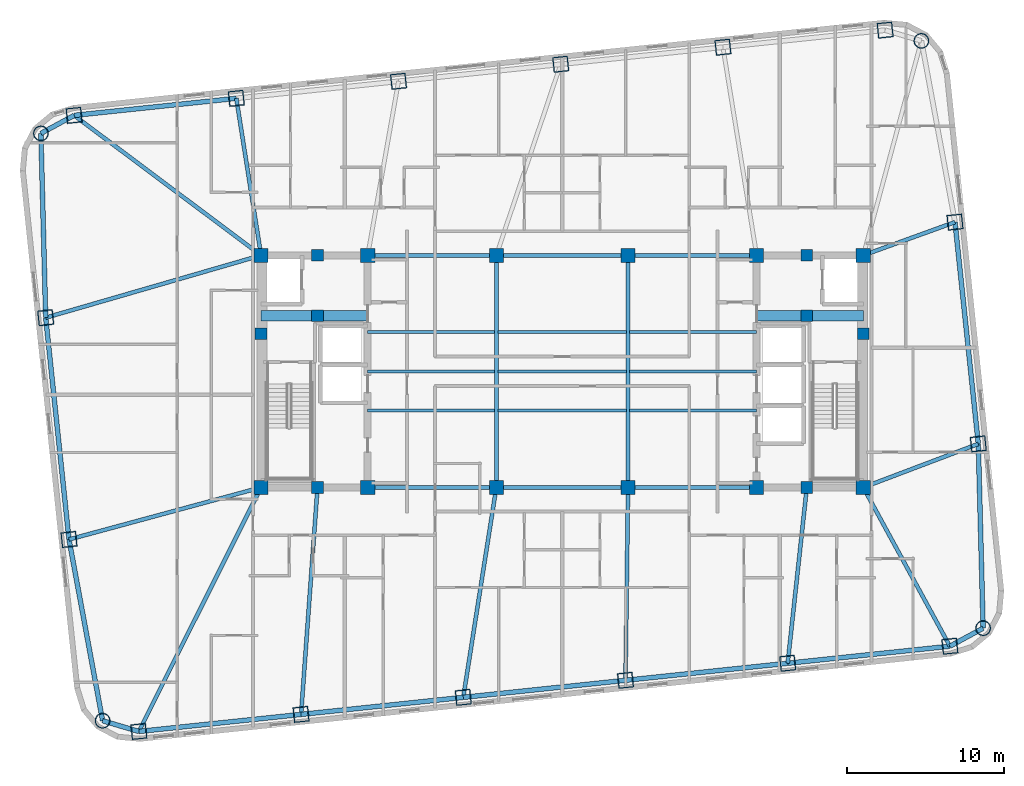
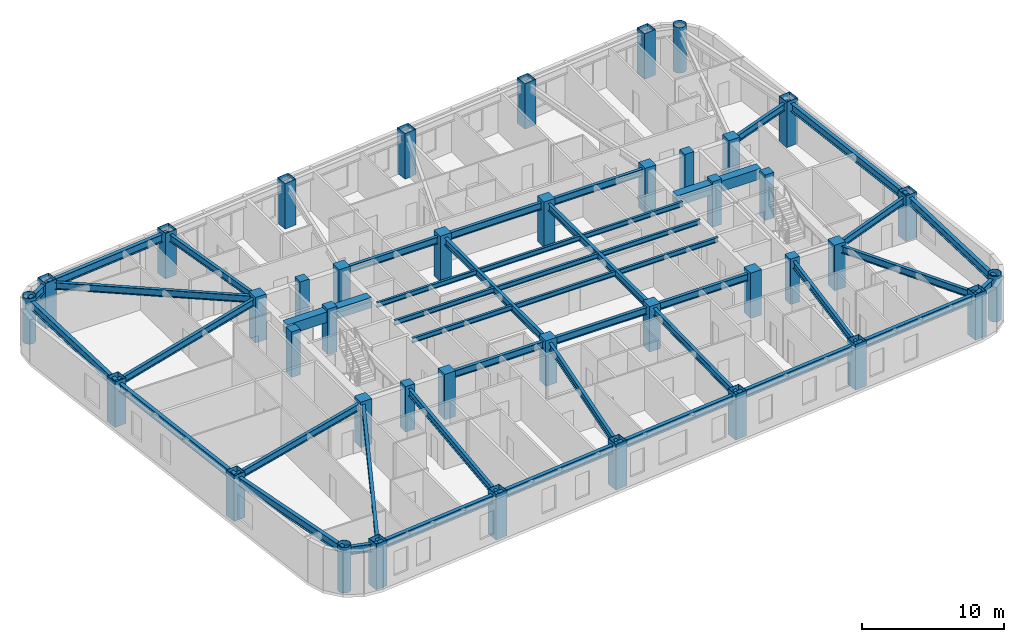
# One storey, part 1 of 11: 45 beams, 40 columns.
"""IFC4 building model written with IfcOpenShell, lengths in metres."""

from ifc_helpers import new_model, si_unit, direction, frame, origin, origin_2d, place, context, subcontext, project, spatial, rectangle, hollow_rectangle, hollow_circle, i_section, extrude, material, material_profile, profile_set, type_object, element, save


model = new_model("IFC4")

# Units and contexts
model_context = context("Model", 3, precision=1e-05, world=origin(), true_north=direction((0.0, 1.0)))
body_context = subcontext(model_context, "Body", "Model", "MODEL_VIEW")
ifc_project = project(units=[si_unit("LENGTHUNIT", "METRE"), si_unit("AREAUNIT", "SQUARE_METRE"), si_unit("VOLUMEUNIT", "CUBIC_METRE"), si_unit("PLANEANGLEUNIT", "RADIAN"), si_unit("MASSUNIT", "GRAM", prefix="KILO")], contexts=[model_context])

# Site, building, storey
site_placement = place(None, origin())
site = spatial("IfcSite", under=ifc_project, at=site_placement, CompositionType="ELEMENT")
building_placement = place(site_placement, origin())
building = spatial("IfcBuilding", under=site, at=building_placement, Name="Voryun Gate Residences", CompositionType="ELEMENT")
storey_placement = place(building_placement, frame((0.0, 0.0, 163.800048828125)))
storey = spatial("IfcBuildingStorey", under=building, at=storey_placement, Name="L40", CompositionType="ELEMENT", Elevation=163.800048828125)

# Columns
ifc_material_1 = material(Name="Concrete C50/60", Category="concrete")
ifc_material_profile_1 = material_profile(ifc_material_1, rectangle(XDim=0.75, YDim=0.75, at=origin_2d()), Name="RC-750x750")
ifc_profile_set_1 = profile_set([ifc_material_profile_1], Name="Concrete C50/60")
column_type_1 = type_object("IfcColumnType", Name="COL_CORE_750", PredefinedType="COLUMN", material=ifc_profile_set_1)
for number, where, z_axis, x_axis, name in (
    (1, (-19.199951171875, 2.39990234375, 0.0), (0.0, 0.0, 1.0), (1.0, 0.0, 0.0), "L40 Core boundary column WC-MW"),
    (2, (-15.60009765625, -7.39990234375, 0.0), (0.0, 0.0, 1.0), (1.0, 0.0, 0.0), "L40 Core boundary column WC-SM"),
    (3, (-15.60009765625, 7.39990234375, 0.0), (0.0, 0.0, 1.0), (1.0, 0.0, 0.0), "L40 Core boundary column WC-NM"),
    (4, (-15.60009765625, 3.550048828125, 0.0), (0.0, 0.0, 1.0), (1.0, 0.0, 0.0), "L40 Core boundary column WC-MM"),
    (5, (15.60009765625, 3.550048828125, 0.0), (0.0, 0.0, 1.0), (1.0, 0.0, 0.0), "L40 Core boundary column EC-MM"),
    (6, (15.60009765625, -7.39990234375, 0.0), (0.0, 0.0, 1.0), (1.0, 0.0, 0.0), "L40 Core boundary column EC-SM"),
    (7, (15.60009765625, 7.39990234375, 0.0), (0.0, 0.0, 1.0), (1.0, 0.0, 0.0), "L40 Core boundary column EC-NM"),
    (8, (19.199951171875, 2.39990234375, 0.0), (0.0, 0.0, 1.0), (1.0, 0.0, 0.0), "L40 Core boundary column EC-ME"),
):
    element("IfcColumn", number, at=place(storey_placement, frame(where, z_axis=z_axis, x_axis=x_axis)), inside=storey, type_object=column_type_1, Name=name, PredefinedType="COLUMN", context=body_context, shape_type="SweptSolid", body=[
        extrude(rectangle(XDim=0.75, YDim=0.75, at=origin_2d()), origin(), (0.0, 0.0, 1.0), 3.89990234375),
    ])
ifc_material_2 = material(Name="Concrete C50/60", Category="concrete")
ifc_material_profile_2 = material_profile(ifc_material_2, rectangle(XDim=0.89990234375, YDim=0.89990234375, at=origin_2d()), Name="RC-900x900")
ifc_profile_set_2 = profile_set([ifc_material_profile_2], Name="Concrete C50/60")
column_type_2 = type_object("IfcColumnType", Name="COL_CORE_900", PredefinedType="COLUMN", material=ifc_profile_set_2)
for number, where, z_axis, x_axis, name in (
    (9, (-19.199951171875, -7.39990234375, 0.0), (0.0, 0.0, 1.0), (1.0, 0.0, 0.0), "L40 Core boundary column WC-SW"),
    (10, (-19.199951171875, 7.39990234375, 0.0), (0.0, 0.0, 1.0), (1.0, 0.0, 0.0), "L40 Core boundary column WC-NW"),
    (11, (-12.39990234375, -7.39990234375, 0.0), (0.0, 0.0, 1.0), (1.0, 0.0, 0.0), "L40 Core boundary column WC-SE"),
    (12, (-12.39990234375, 7.39990234375, 0.0), (0.0, 0.0, 1.0), (1.0, 0.0, 0.0), "L40 Core boundary column WC-NE"),
    (13, (12.39990234375, -7.39990234375, 0.0), (0.0, 0.0, 1.0), (1.0, 0.0, 0.0), "L40 Core boundary column EC-SW"),
    (14, (12.39990234375, 7.39990234375, 0.0), (0.0, 0.0, 1.0), (1.0, 0.0, 0.0), "L40 Core boundary column EC-NW"),
    (15, (19.199951171875, -7.39990234375, 0.0), (0.0, 0.0, 1.0), (1.0, 0.0, 0.0), "L40 Core boundary column EC-SE"),
    (16, (19.199951171875, 7.39990234375, 0.0), (0.0, 0.0, 1.0), (1.0, 0.0, 0.0), "L40 Core boundary column EC-NE"),
    (17, (-4.199951171875, -7.39990234375, 0.0), (0.0, 0.0, 1.0), (1.0, 0.0, 0.0), "L40 Interior spine column SP-WS"),
    (18, (-4.199951171875, 7.39990234375, 0.0), (0.0, 0.0, 1.0), (1.0, 0.0, 0.0), "L40 Interior spine column SP-WN"),
    (19, (4.199951171875, -7.39990234375, 0.0), (0.0, 0.0, 1.0), (1.0, 0.0, 0.0), "L40 Interior spine column SP-ES"),
    (20, (4.199951171875, 7.39990234375, 0.0), (0.0, 0.0, 1.0), (1.0, 0.0, 0.0), "L40 Interior spine column SP-EN"),
):
    element("IfcColumn", number, at=place(storey_placement, frame(where, z_axis=z_axis, x_axis=x_axis)), inside=storey, type_object=column_type_2, Name=name, PredefinedType="COLUMN", context=body_context, shape_type="SweptSolid", body=[
        extrude(rectangle(XDim=0.89990234375, YDim=0.89990234375, at=origin_2d()), origin(), (0.0, 0.0, 1.0), 3.89990234375),
    ])
ifc_material_3 = material(Name="Steel SM420", Category="steel")
ifc_material_profile_3 = material_profile(ifc_material_3, hollow_circle(Radius=0.47509765625, WallThickness=0.031982421875, at=origin_2d()), Name="CHS-950x32")
ifc_profile_set_3 = profile_set([ifc_material_profile_3], Name="Steel SM420")
column_type_3 = type_object("IfcColumnType", Name="COL_CRN_950", PredefinedType="COLUMN", material=ifc_profile_set_3)
for number, where, z_axis, x_axis, name in (
    (21, (26.8408203125, -16.373779296875, 0.0), (0.0, 0.0, 1.0), (0.994521895368, 0.104528463268, 0.0), "L40 Exoskeleton column CSE"),
    (22, (22.90478515625, 21.07470703125, 0.0), (0.0, 0.0, 1.0), (0.994521895368, 0.104528463268, 0.0), "L40 Exoskeleton column CNE"),
    (23, (-33.24072265625, 15.173583984375, 0.0), (0.0, 0.0, 1.0), (0.994521895368, 0.104528463268, 0.0), "L40 Exoskeleton column CNW"),
    (24, (-29.3046875, -22.27490234375, 0.0), (0.0, 0.0, 1.0), (0.994521895368, 0.104528463268, 0.0), "L40 Exoskeleton column CSW"),
):
    element("IfcColumn", number, at=place(storey_placement, frame(where, z_axis=z_axis, x_axis=x_axis)), inside=storey, type_object=column_type_3, Name=name, PredefinedType="COLUMN", context=body_context, shape_type="SweptSolid", body=[
        extrude(hollow_circle(Radius=0.47509765625, WallThickness=0.031982421875, at=origin_2d()), origin(), (0.0, 0.0, 1.0), 3.89990234375),
    ])
ifc_material_4 = material(Name="Steel SM420", Category="steel")
ifc_material_profile_4 = material_profile(ifc_material_4, hollow_rectangle(XDim=0.949951171875, YDim=0.949951171875, WallThickness=0.031982421875, at=origin_2d()), Name="BOX-950x950x32")
ifc_profile_set_4 = profile_set([ifc_material_profile_4], Name="Steel SM420")
column_type_4 = type_object("IfcColumnType", Name="COL_EXO_B3", PredefinedType="COLUMN", material=ifc_profile_set_4)
for number, where, z_axis, x_axis, name in (
    (25, (-26.9931640625, -22.95947265625, 0.0), (0.0, 0.0, 1.0), (0.994521895368, 0.104528463268, 0.0), "L40 Exoskeleton column S1"),
    (26, (-16.650146484375, -21.87255859375, 0.0), (0.0, 0.0, 1.0), (0.994521895368, 0.104528463268, 0.0), "L40 Exoskeleton column S2"),
    (27, (-6.30712890625, -20.785400390625, 0.0), (0.0, 0.0, 1.0), (0.994521895368, 0.104528463268, 0.0), "L40 Exoskeleton column S3"),
    (28, (4.035888671875, -19.6982421875, 0.0), (0.0, 0.0, 1.0), (0.994521895368, 0.104528463268, 0.0), "L40 Exoskeleton column S4"),
    (29, (14.37890625, -18.611083984375, 0.0), (0.0, 0.0, 1.0), (0.994521895368, 0.104528463268, 0.0), "L40 Exoskeleton column S5"),
    (30, (24.721923828125, -17.524169921875, 0.0), (0.0, 0.0, 1.0), (0.994521895368, 0.104528463268, 0.0), "L40 Exoskeleton column S6"),
    (31, (26.533447265625, -4.6240234375, 0.0), (0.0, 0.0, 1.0), (0.994521895368, 0.104528463268, 0.0), "L40 Exoskeleton column E1"),
    (32, (25.047119140625, 9.51806640625, 0.0), (0.0, 0.0, 1.0), (0.994521895368, 0.104528463268, 0.0), "L40 Exoskeleton column E2"),
    (33, (20.593017578125, 21.759521484375, 0.0), (0.0, 0.0, 1.0), (0.994521895368, 0.104528463268, 0.0), "L40 Exoskeleton column N1"),
    (34, (10.25, 20.67236328125, 0.0), (0.0, 0.0, 1.0), (0.994521895368, 0.104528463268, 0.0), "L40 Exoskeleton column N2"),
    (35, (-0.093017578125, 19.58544921875, 0.0), (0.0, 0.0, 1.0), (0.994521895368, 0.104528463268, 0.0), "L40 Exoskeleton column N3"),
    (36, (-10.43603515625, 18.498291015625, 0.0), (0.0, 0.0, 1.0), (0.994521895368, 0.104528463268, 0.0), "L40 Exoskeleton column N4"),
    (37, (-20.779052734375, 17.4111328125, 0.0), (0.0, 0.0, 1.0), (0.994521895368, 0.104528463268, 0.0), "L40 Exoskeleton column N5"),
    (38, (-31.1220703125, 16.323974609375, 0.0), (0.0, 0.0, 1.0), (0.994521895368, 0.104528463268, 0.0), "L40 Exoskeleton column N6"),
    (39, (-32.93359375, 3.424072265625, 0.0), (0.0, 0.0, 1.0), (0.994521895368, 0.104528463268, 0.0), "L40 Exoskeleton column W1"),
    (40, (-31.447021484375, -10.718017578125, 0.0), (0.0, 0.0, 1.0), (0.994521895368, 0.104528463268, 0.0), "L40 Exoskeleton column W2"),
):
    element("IfcColumn", number, at=place(storey_placement, frame(where, z_axis=z_axis, x_axis=x_axis)), inside=storey, type_object=column_type_4, Name=name, PredefinedType="COLUMN", context=body_context, shape_type="SweptSolid", body=[
        extrude(hollow_rectangle(XDim=0.949951171875, YDim=0.949951171875, WallThickness=0.031982421875, at=origin_2d()), origin(), (0.0, 0.0, 1.0), 3.89990234375),
    ])

# Beams
ifc_material_5 = material(Name="Concrete C60/75", Category="concrete")
ifc_material_profile_5 = material_profile(ifc_material_5, rectangle(XDim=0.64990234375, YDim=0.89990234375, at=origin_2d()), Name="RC-650x900")
ifc_profile_set_5 = profile_set([ifc_material_profile_5], Name="Concrete C60/75")
beam_type_1 = type_object("IfcBeamType", Name="BM_COUP_RC900", PredefinedType="LINTEL", material=ifc_profile_set_5)
for number, where, z_axis, x_axis, name in (
    (41, (-19.199951171875, 3.550048828125, 3.199951171875), (1.0, 0.0, 0.0), (0.0, 1.0, 0.0), "BM-L40-WC1"),
    (42, (12.39990234375, 3.550048828125, 3.199951171875), (1.0, 0.0, 0.0), (0.0, 1.0, 0.0), "BM-L40-EC1"),
):
    element("IfcBeam", number, at=place(storey_placement, frame(where, z_axis=z_axis, x_axis=x_axis)), inside=storey, type_object=beam_type_1, Name=name, PredefinedType="LINTEL", context=body_context, shape_type="SweptSolid", body=[
        extrude(rectangle(XDim=0.64990234375, YDim=0.89990234375, at=origin_2d()), origin(), (0.0, 0.0, 1.0), 6.800048828125),
    ])
ifc_material_6 = material(Name="Steel SM355", Category="steel")
ifc_material_profile_6 = material_profile(ifc_material_6, i_section(OverallWidth=0.300048828125, OverallDepth=0.679931640625, WebThickness=0.013916015625, FlangeThickness=0.02490234375, FilletRadius=0.01806640625, at=origin_2d()), Name="H-680x300x14x25")
ifc_profile_set_6 = profile_set([ifc_material_profile_6], Name="Steel SM355")
beam_type_2 = type_object("IfcBeamType", Name="BM_EXO_SPANDREL_M", PredefinedType="SPANDREL", material=ifc_profile_set_6)
for number, where, z_axis, x_axis, name in (
    (43, (-26.9931640625, -22.95947265625, 3.31005859375), (0.99452370336, 0.10451125994, 0.0), (-0.10451125994, 0.99452370336, 0.0), "BM-L40-SPAND-01"),
    (44, (-16.650146484375, -21.87255859375, 3.31005859375), (0.994521263116, 0.104534478571, 0.0), (-0.104534478571, 0.994521263116, 0.0), "BM-L40-SPAND-02"),
    (45, (-6.30712890625, -20.785400390625, 3.31005859375), (0.994521263116, 0.104534478571, 0.0), (-0.104534478571, 0.994521263116, 0.0), "BM-L40-SPAND-03"),
    (46, (4.035888671875, -19.6982421875, 3.31005859375), (0.994521263116, 0.104534478571, 0.0), (-0.104534478571, 0.994521263116, 0.0), "BM-L40-SPAND-04"),
    (47, (14.37890625, -18.611083984375, 3.31005859375), (0.99452370336, 0.10451125994, 0.0), (-0.10451125994, 0.99452370336, 0.0), "BM-L40-SPAND-05"),
):
    element("IfcBeam", number, at=place(storey_placement, frame(where, z_axis=z_axis, x_axis=x_axis)), inside=storey, type_object=beam_type_2, Name=name, PredefinedType="SPANDREL", context=body_context, shape_type="SweptSolid", body=[
        extrude(i_section(OverallWidth=0.300048828125, OverallDepth=0.679931640625, WebThickness=0.013916015625, FlangeThickness=0.02490234375, FilletRadius=0.01806640625, at=origin_2d()), origin(), (0.0, 0.0, 1.0), 10.39990234375),
    ])
beam_1_placement = place(storey_placement, frame((24.721923828125, -17.524169921875, 3.31005859375), z_axis=(0.878830382314, 0.477134319791, 0.0), x_axis=(-0.477134319791, 0.878830382314, 0.0)))
element("IfcBeam", 48, at=beam_1_placement, inside=storey, type_object=beam_type_2, Name="BM-L40-SPAND-06", PredefinedType="SPANDREL", context=body_context, shape_type="SweptSolid", body=[
    extrude(i_section(OverallWidth=0.300048828125, OverallDepth=0.679931640625, WebThickness=0.013916015625, FlangeThickness=0.02490234375, FilletRadius=0.01806640625, at=origin_2d()), origin(), (0.0, 0.0, 1.0), 2.4111328125),
])
beam_2_placement = place(storey_placement, frame((26.8408203125, -16.373779296875, 3.31005859375), z_axis=(-0.026151005195, 0.999658003983, 0.0), x_axis=(-0.999658003983, -0.026151005195, 0.0)))
element("IfcBeam", 49, at=beam_2_placement, inside=storey, type_object=beam_type_2, Name="BM-L40-SPAND-07", PredefinedType="SPANDREL", context=body_context, shape_type="SweptSolid", body=[
    extrude(i_section(OverallWidth=0.300048828125, OverallDepth=0.679931640625, WebThickness=0.013916015625, FlangeThickness=0.02490234375, FilletRadius=0.01806640625, at=origin_2d()), origin(), (0.0, 0.0, 1.0), 11.753662109375),
])
beam_3_placement = place(storey_placement, frame((26.533447265625, -4.6240234375, 3.31005859375), z_axis=(-0.104523913446, 0.994522373563, 0.0), x_axis=(-0.994522373563, -0.104523913446, 0.0)))
element("IfcBeam", 50, at=beam_3_placement, inside=storey, type_object=beam_type_2, Name="BM-L40-SPAND-08", PredefinedType="SPANDREL", context=body_context, shape_type="SweptSolid", body=[
    extrude(i_section(OverallWidth=0.300048828125, OverallDepth=0.679931640625, WebThickness=0.013916015625, FlangeThickness=0.02490234375, FilletRadius=0.01806640625, at=origin_2d()), origin(), (0.0, 0.0, 1.0), 14.219970703125),
])
beam_4_placement = place(storey_placement, frame((-20.779052734375, 17.4111328125, 3.31005859375), z_axis=(-0.994521263116, -0.104534478571, 0.0), x_axis=(0.104534478571, -0.994521263116, 0.0)))
element("IfcBeam", 51, at=beam_4_placement, inside=storey, type_object=beam_type_2, Name="BM-L40-SPAND-15", PredefinedType="SPANDREL", context=body_context, shape_type="SweptSolid", body=[
    extrude(i_section(OverallWidth=0.300048828125, OverallDepth=0.679931640625, WebThickness=0.013916015625, FlangeThickness=0.02490234375, FilletRadius=0.01806640625, at=origin_2d()), origin(), (0.0, 0.0, 1.0), 10.39990234375),
])
beam_5_placement = place(storey_placement, frame((-31.1220703125, 16.323974609375, 3.31005859375), z_axis=(-0.878807326808, -0.47717678312, 0.0), x_axis=(0.47717678312, -0.878807326808, 0.0)))
element("IfcBeam", 52, at=beam_5_placement, inside=storey, type_object=beam_type_2, Name="BM-L40-SPAND-16", PredefinedType="SPANDREL", context=body_context, shape_type="SweptSolid", body=[
    extrude(i_section(OverallWidth=0.300048828125, OverallDepth=0.679931640625, WebThickness=0.013916015625, FlangeThickness=0.02490234375, FilletRadius=0.01806640625, at=origin_2d()), origin(), (0.0, 0.0, 1.0), 2.410888671875),
])
beam_6_placement = place(storey_placement, frame((-33.24072265625, 15.173583984375, 3.31005859375), z_axis=(0.026130790716, -0.999658532588, 0.0), x_axis=(0.999658532588, 0.026130790716, 0.0)))
element("IfcBeam", 53, at=beam_6_placement, inside=storey, type_object=beam_type_2, Name="BM-L40-SPAND-17", PredefinedType="SPANDREL", context=body_context, shape_type="SweptSolid", body=[
    extrude(i_section(OverallWidth=0.300048828125, OverallDepth=0.679931640625, WebThickness=0.013916015625, FlangeThickness=0.02490234375, FilletRadius=0.01806640625, at=origin_2d()), origin(), (0.0, 0.0, 1.0), 11.75341796875),
])
beam_7_placement = place(storey_placement, frame((-32.93359375, 3.424072265625, 3.31005859375), z_axis=(0.104540894669, -0.994520588697, 0.0), x_axis=(0.994520588697, 0.104540894669, 0.0)))
element("IfcBeam", 54, at=beam_7_placement, inside=storey, type_object=beam_type_2, Name="BM-L40-SPAND-18", PredefinedType="SPANDREL", context=body_context, shape_type="SweptSolid", body=[
    extrude(i_section(OverallWidth=0.300048828125, OverallDepth=0.679931640625, WebThickness=0.013916015625, FlangeThickness=0.02490234375, FilletRadius=0.01806640625, at=origin_2d()), origin(), (0.0, 0.0, 1.0), 14.219970703125),
])
beam_8_placement = place(storey_placement, frame((-31.447021484375, -10.718017578125, 3.31005859375), z_axis=(0.182267768769, -0.983248931079, 0.0), x_axis=(0.983248931079, 0.182267768769, 0.0)))
element("IfcBeam", 55, at=beam_8_placement, inside=storey, type_object=beam_type_2, Name="BM-L40-SPAND-19", PredefinedType="SPANDREL", context=body_context, shape_type="SweptSolid", body=[
    extrude(i_section(OverallWidth=0.300048828125, OverallDepth=0.679931640625, WebThickness=0.013916015625, FlangeThickness=0.02490234375, FilletRadius=0.01806640625, at=origin_2d()), origin(), (0.0, 0.0, 1.0), 11.753662109375),
])
beam_9_placement = place(storey_placement, frame((-29.3046875, -22.27490234375, 3.31005859375), z_axis=(0.958834884093, -0.283964196768, 0.0), x_axis=(0.283964196768, 0.958834884093, 0.0)))
element("IfcBeam", 56, at=beam_9_placement, inside=storey, type_object=beam_type_2, Name="BM-L40-SPAND-20", PredefinedType="SPANDREL", context=body_context, shape_type="SweptSolid", body=[
    extrude(i_section(OverallWidth=0.300048828125, OverallDepth=0.679931640625, WebThickness=0.013916015625, FlangeThickness=0.02490234375, FilletRadius=0.01806640625, at=origin_2d()), origin(), (0.0, 0.0, 1.0), 2.41064453125),
])
ifc_material_7 = material(Name="Steel SM355", Category="steel")
ifc_material_profile_7 = material_profile(ifc_material_7, i_section(OverallWidth=0.25, OverallDepth=0.60009765625, WebThickness=0.011962890625, FlangeThickness=0.02197265625, FilletRadius=0.01806640625, at=origin_2d()), Name="H-600x250x12x22")
ifc_profile_set_7 = profile_set([ifc_material_profile_7], Name="Steel SM355")
beam_type_3 = type_object("IfcBeamType", Name="BM_GIRD_600", PredefinedType="USERDEFINED", material=ifc_profile_set_7)
beam_10_placement = place(storey_placement, frame((-12.39990234375, -7.39990234375, 3.349853515625), z_axis=(1.0, 0.0, 0.0), x_axis=(0.0, 1.0, 0.0)))
element("IfcBeam", 57, at=beam_10_placement, inside=storey, type_object=beam_type_3, Name="BM-L40-SPG1-S", ObjectType="GIRDER", PredefinedType="USERDEFINED", context=body_context, shape_type="SweptSolid", body=[
    extrude(i_section(OverallWidth=0.25, OverallDepth=0.60009765625, WebThickness=0.011962890625, FlangeThickness=0.02197265625, FilletRadius=0.01806640625, at=origin_2d()), origin(), (0.0, 0.0, 1.0), 8.199951171875),
])
beam_11_placement = place(storey_placement, frame((-4.199951171875, -7.39990234375, 3.349853515625), z_axis=(1.0, 0.0, 0.0), x_axis=(0.0, 1.0, 0.0)))
element("IfcBeam", 58, at=beam_11_placement, inside=storey, type_object=beam_type_3, Name="BM-L40-SPG2-S", ObjectType="GIRDER", PredefinedType="USERDEFINED", context=body_context, shape_type="SweptSolid", body=[
    extrude(i_section(OverallWidth=0.25, OverallDepth=0.60009765625, WebThickness=0.011962890625, FlangeThickness=0.02197265625, FilletRadius=0.01806640625, at=origin_2d()), origin(), (0.0, 0.0, 1.0), 8.39990234375),
])
for number, where, z_axis, x_axis, name in (
    (59, (4.199951171875, -7.39990234375, 3.349853515625), (1.0, 0.0, 0.0), (0.0, 1.0, 0.0), "BM-L40-SPG3-S"),
    (60, (-12.39990234375, 7.39990234375, 3.349853515625), (1.0, 0.0, 0.0), (0.0, 1.0, 0.0), "BM-L40-SPG1-N"),
):
    element("IfcBeam", number, at=place(storey_placement, frame(where, z_axis=z_axis, x_axis=x_axis)), inside=storey, type_object=beam_type_3, Name=name, ObjectType="GIRDER", PredefinedType="USERDEFINED", context=body_context, shape_type="SweptSolid", body=[
        extrude(i_section(OverallWidth=0.25, OverallDepth=0.60009765625, WebThickness=0.011962890625, FlangeThickness=0.02197265625, FilletRadius=0.01806640625, at=origin_2d()), origin(), (0.0, 0.0, 1.0), 8.199951171875),
    ])
beam_12_placement = place(storey_placement, frame((-4.199951171875, 7.39990234375, 3.349853515625), z_axis=(1.0, 0.0, 0.0), x_axis=(0.0, 1.0, 0.0)))
element("IfcBeam", 61, at=beam_12_placement, inside=storey, type_object=beam_type_3, Name="BM-L40-SPG2-N", ObjectType="GIRDER", PredefinedType="USERDEFINED", context=body_context, shape_type="SweptSolid", body=[
    extrude(i_section(OverallWidth=0.25, OverallDepth=0.60009765625, WebThickness=0.011962890625, FlangeThickness=0.02197265625, FilletRadius=0.01806640625, at=origin_2d()), origin(), (0.0, 0.0, 1.0), 8.39990234375),
])
beam_13_placement = place(storey_placement, frame((4.199951171875, 7.39990234375, 3.349853515625), z_axis=(1.0, 0.0, 0.0), x_axis=(0.0, 1.0, 0.0)))
element("IfcBeam", 62, at=beam_13_placement, inside=storey, type_object=beam_type_3, Name="BM-L40-SPG3-N", ObjectType="GIRDER", PredefinedType="USERDEFINED", context=body_context, shape_type="SweptSolid", body=[
    extrude(i_section(OverallWidth=0.25, OverallDepth=0.60009765625, WebThickness=0.011962890625, FlangeThickness=0.02197265625, FilletRadius=0.01806640625, at=origin_2d()), origin(), (0.0, 0.0, 1.0), 8.199951171875),
])
for number, where, z_axis, x_axis, name in (
    (63, (-4.199951171875, -7.39990234375, 3.349853515625), (0.0, 1.0, 0.0), (-1.0, 0.0, 0.0), "BM-L40-SPX-W"),
    (64, (4.199951171875, -7.39990234375, 3.349853515625), (0.0, 1.0, 0.0), (-1.0, 0.0, 0.0), "BM-L40-SPX-E"),
):
    element("IfcBeam", number, at=place(storey_placement, frame(where, z_axis=z_axis, x_axis=x_axis)), inside=storey, type_object=beam_type_3, Name=name, ObjectType="GIRDER", PredefinedType="USERDEFINED", context=body_context, shape_type="SweptSolid", body=[
        extrude(i_section(OverallWidth=0.25, OverallDepth=0.60009765625, WebThickness=0.011962890625, FlangeThickness=0.02197265625, FilletRadius=0.01806640625, at=origin_2d()), origin(), (0.0, 0.0, 1.0), 14.7998046875),
    ])
beam_14_placement = place(storey_placement, frame((-19.199951171875, -7.39990234375, 3.349853515625), z_axis=(-0.447830780254, -0.894118332357, 0.0), x_axis=(0.894118332357, -0.447830780254, 0.0)))
element("IfcBeam", 65, at=beam_14_placement, inside=storey, type_object=beam_type_3, Name="BM-L40-RAD-S1", ObjectType="GIRDER", PredefinedType="USERDEFINED", context=body_context, shape_type="SweptSolid", body=[
    extrude(i_section(OverallWidth=0.25, OverallDepth=0.60009765625, WebThickness=0.011962890625, FlangeThickness=0.02197265625, FilletRadius=0.01806640625, at=origin_2d()), origin(), (0.0, 0.0, 1.0), 17.402099609375),
])
beam_15_placement = place(storey_placement, frame((-15.60009765625, -7.39990234375, 3.349853515625), z_axis=(-0.072363766769, -0.99737830599, 0.0), x_axis=(0.99737830599, -0.072363766769, 0.0)))
element("IfcBeam", 66, at=beam_15_placement, inside=storey, type_object=beam_type_3, Name="BM-L40-RAD-S2", ObjectType="GIRDER", PredefinedType="USERDEFINED", context=body_context, shape_type="SweptSolid", body=[
    extrude(i_section(OverallWidth=0.25, OverallDepth=0.60009765625, WebThickness=0.011962890625, FlangeThickness=0.02197265625, FilletRadius=0.01806640625, at=origin_2d()), origin(), (0.0, 0.0, 1.0), 14.5107421875),
])
beam_16_placement = place(storey_placement, frame((-4.199951171875, -7.39990234375, 3.349853515625), z_axis=(-0.155507352157, -0.987834734875, 0.0), x_axis=(0.987834734875, -0.155507352157, 0.0)))
element("IfcBeam", 67, at=beam_16_placement, inside=storey, type_object=beam_type_3, Name="BM-L40-RAD-S3", ObjectType="GIRDER", PredefinedType="USERDEFINED", context=body_context, shape_type="SweptSolid", body=[
    extrude(i_section(OverallWidth=0.25, OverallDepth=0.60009765625, WebThickness=0.011962890625, FlangeThickness=0.02197265625, FilletRadius=0.01806640625, at=origin_2d()), origin(), (0.0, 0.0, 1.0), 13.55029296875),
])
beam_17_placement = place(storey_placement, frame((4.199951171875, -7.39990234375, 3.349853515625), z_axis=(-0.013339028327, -0.999911031204, 0.0), x_axis=(0.999911031204, -0.013339028327, 0.0)))
element("IfcBeam", 68, at=beam_17_placement, inside=storey, type_object=beam_type_3, Name="BM-L40-RAD-S4", ObjectType="GIRDER", PredefinedType="USERDEFINED", context=body_context, shape_type="SweptSolid", body=[
    extrude(i_section(OverallWidth=0.25, OverallDepth=0.60009765625, WebThickness=0.011962890625, FlangeThickness=0.02197265625, FilletRadius=0.01806640625, at=origin_2d()), origin(), (0.0, 0.0, 1.0), 12.29931640625),
])
beam_18_placement = place(storey_placement, frame((15.60009765625, -7.39990234375, 3.349853515625), z_axis=(-0.108285693252, -0.994119816037, 0.0), x_axis=(0.994119816037, -0.108285693252, 0.0)))
element("IfcBeam", 69, at=beam_18_placement, inside=storey, type_object=beam_type_3, Name="BM-L40-RAD-S5", ObjectType="GIRDER", PredefinedType="USERDEFINED", context=body_context, shape_type="SweptSolid", body=[
    extrude(i_section(OverallWidth=0.25, OverallDepth=0.60009765625, WebThickness=0.011962890625, FlangeThickness=0.02197265625, FilletRadius=0.01806640625, at=origin_2d()), origin(), (0.0, 0.0, 1.0), 11.277587890625),
])
beam_19_placement = place(storey_placement, frame((19.199951171875, -7.39990234375, 3.349853515625), z_axis=(0.478828398266, -0.877908517451, 0.0), x_axis=(0.877908517451, 0.478828398266, 0.0)))
element("IfcBeam", 70, at=beam_19_placement, inside=storey, type_object=beam_type_3, Name="BM-L40-RAD-S6", ObjectType="GIRDER", PredefinedType="USERDEFINED", context=body_context, shape_type="SweptSolid", body=[
    extrude(i_section(OverallWidth=0.25, OverallDepth=0.60009765625, WebThickness=0.011962890625, FlangeThickness=0.02197265625, FilletRadius=0.01806640625, at=origin_2d()), origin(), (0.0, 0.0, 1.0), 11.5322265625),
])
beam_20_placement = place(storey_placement, frame((19.199951171875, -7.39990234375, 3.349853515625), z_axis=(0.93524224301, 0.354008399462, 0.0), x_axis=(-0.354008399462, 0.93524224301, 0.0)))
element("IfcBeam", 71, at=beam_20_placement, inside=storey, type_object=beam_type_3, Name="BM-L40-RAD-E1", ObjectType="GIRDER", PredefinedType="USERDEFINED", context=body_context, shape_type="SweptSolid", body=[
    extrude(i_section(OverallWidth=0.25, OverallDepth=0.60009765625, WebThickness=0.011962890625, FlangeThickness=0.02197265625, FilletRadius=0.01806640625, at=origin_2d()), origin(), (0.0, 0.0, 1.0), 7.84130859375),
])
beam_21_placement = place(storey_placement, frame((19.199951171875, 7.39990234375, 3.349853515625), z_axis=(0.94020993833, 0.340595466595, 0.0), x_axis=(-0.340595466595, 0.94020993833, 0.0)))
element("IfcBeam", 72, at=beam_21_placement, inside=storey, type_object=beam_type_3, Name="BM-L40-RAD-E2", ObjectType="GIRDER", PredefinedType="USERDEFINED", context=body_context, shape_type="SweptSolid", body=[
    extrude(i_section(OverallWidth=0.25, OverallDepth=0.60009765625, WebThickness=0.011962890625, FlangeThickness=0.02197265625, FilletRadius=0.01806640625, at=origin_2d()), origin(), (0.0, 0.0, 1.0), 6.218994140625),
])
beam_22_placement = place(storey_placement, frame((-19.199951171875, 7.39990234375, 3.349853515625), z_axis=(-0.155806710133, 0.987787562727, 0.0), x_axis=(-0.987787562727, -0.155806710133, 0.0)))
element("IfcBeam", 73, at=beam_22_placement, inside=storey, type_object=beam_type_3, Name="BM-L40-RAD-N5", ObjectType="GIRDER", PredefinedType="USERDEFINED", context=body_context, shape_type="SweptSolid", body=[
    extrude(i_section(OverallWidth=0.25, OverallDepth=0.60009765625, WebThickness=0.011962890625, FlangeThickness=0.02197265625, FilletRadius=0.01806640625, at=origin_2d()), origin(), (0.0, 0.0, 1.0), 10.135009765625),
])
beam_23_placement = place(storey_placement, frame((-19.199951171875, 7.39990234375, 3.349853515625), z_axis=(-0.800564252374, 0.599246925583, 0.0), x_axis=(-0.599246925583, -0.800564252374, 0.0)))
element("IfcBeam", 74, at=beam_23_placement, inside=storey, type_object=beam_type_3, Name="BM-L40-RAD-N6", ObjectType="GIRDER", PredefinedType="USERDEFINED", context=body_context, shape_type="SweptSolid", body=[
    extrude(i_section(OverallWidth=0.25, OverallDepth=0.60009765625, WebThickness=0.011962890625, FlangeThickness=0.02197265625, FilletRadius=0.01806640625, at=origin_2d()), origin(), (0.0, 0.0, 1.0), 14.89208984375),
])
beam_24_placement = place(storey_placement, frame((-19.199951171875, 7.39990234375, 3.349853515625), z_axis=(-0.960558623239, -0.278077563498, 0.0), x_axis=(0.278077563498, -0.960558623239, 0.0)))
element("IfcBeam", 75, at=beam_24_placement, inside=storey, type_object=beam_type_3, Name="BM-L40-RAD-W1", ObjectType="GIRDER", PredefinedType="USERDEFINED", context=body_context, shape_type="SweptSolid", body=[
    extrude(i_section(OverallWidth=0.25, OverallDepth=0.60009765625, WebThickness=0.011962890625, FlangeThickness=0.02197265625, FilletRadius=0.01806640625, at=origin_2d()), origin(), (0.0, 0.0, 1.0), 14.297607421875),
])
beam_25_placement = place(storey_placement, frame((-19.199951171875, -7.39990234375, 3.349853515625), z_axis=(-0.965202497616, -0.261503611058, 0.0), x_axis=(0.261503611058, -0.965202497616, 0.0)))
element("IfcBeam", 76, at=beam_25_placement, inside=storey, type_object=beam_type_3, Name="BM-L40-RAD-W2", ObjectType="GIRDER", PredefinedType="USERDEFINED", context=body_context, shape_type="SweptSolid", body=[
    extrude(i_section(OverallWidth=0.25, OverallDepth=0.60009765625, WebThickness=0.011962890625, FlangeThickness=0.02197265625, FilletRadius=0.01806640625, at=origin_2d()), origin(), (0.0, 0.0, 1.0), 12.688720703125),
])
ifc_material_8 = material(Name="Steel SM355", Category="steel")
ifc_material_profile_8 = material_profile(ifc_material_8, i_section(OverallWidth=0.18994140625, OverallDepth=0.419921875, WebThickness=0.009033203125, FlangeThickness=0.01611328125, FilletRadius=0.01806640625, at=origin_2d()), Name="H-420x190x9x16")
ifc_profile_set_8 = profile_set([ifc_material_profile_8], Name="Steel SM355")
beam_type_4 = type_object("IfcBeamType", Name="BM_SEC_420", PredefinedType="BEAM", material=ifc_profile_set_8)
beam_26_placement = place(storey_placement, frame((-12.39990234375, -2.5, 3.43994140625), z_axis=(1.0, 0.0, 0.0), x_axis=(0.0, 1.0, 0.0)))
element("IfcBeam", 77, at=beam_26_placement, inside=storey, type_object=beam_type_4, Name="BM-L40-SEC-CS1", PredefinedType="BEAM", context=body_context, shape_type="SweptSolid", body=[
    extrude(i_section(OverallWidth=0.18994140625, OverallDepth=0.419921875, WebThickness=0.009033203125, FlangeThickness=0.01611328125, FilletRadius=0.01806640625, at=origin_2d()), origin(), (0.0, 0.0, 1.0), 8.099853515625),
])
beam_27_placement = place(storey_placement, frame((-4.10009765625, -2.5, 3.43994140625), z_axis=(1.0, 0.0, 0.0), x_axis=(0.0, 1.0, 0.0)))
element("IfcBeam", 78, at=beam_27_placement, inside=storey, type_object=beam_type_4, Name="BM-L40-SEC-CS2", PredefinedType="BEAM", context=body_context, shape_type="SweptSolid", body=[
    extrude(i_section(OverallWidth=0.18994140625, OverallDepth=0.419921875, WebThickness=0.009033203125, FlangeThickness=0.01611328125, FilletRadius=0.01806640625, at=origin_2d()), origin(), (0.0, 0.0, 1.0), 8.2001953125),
])
for number, where, z_axis, x_axis, name in (
    (79, (4.300048828125, -2.5, 3.43994140625), (1.0, 0.0, 0.0), (0.0, 1.0, 0.0), "BM-L40-SEC-CS3"),
    (80, (-12.39990234375, 0.0, 3.43994140625), (1.0, 0.0, 0.0), (0.0, 1.0, 0.0), "BM-L40-SEC-CM1"),
):
    element("IfcBeam", number, at=place(storey_placement, frame(where, z_axis=z_axis, x_axis=x_axis)), inside=storey, type_object=beam_type_4, Name=name, PredefinedType="BEAM", context=body_context, shape_type="SweptSolid", body=[
        extrude(i_section(OverallWidth=0.18994140625, OverallDepth=0.419921875, WebThickness=0.009033203125, FlangeThickness=0.01611328125, FilletRadius=0.01806640625, at=origin_2d()), origin(), (0.0, 0.0, 1.0), 8.099853515625),
    ])
beam_28_placement = place(storey_placement, frame((-4.10009765625, 0.0, 3.43994140625), z_axis=(1.0, 0.0, 0.0), x_axis=(0.0, 1.0, 0.0)))
element("IfcBeam", 81, at=beam_28_placement, inside=storey, type_object=beam_type_4, Name="BM-L40-SEC-CM2", PredefinedType="BEAM", context=body_context, shape_type="SweptSolid", body=[
    extrude(i_section(OverallWidth=0.18994140625, OverallDepth=0.419921875, WebThickness=0.009033203125, FlangeThickness=0.01611328125, FilletRadius=0.01806640625, at=origin_2d()), origin(), (0.0, 0.0, 1.0), 8.2001953125),
])
for number, where, z_axis, x_axis, name in (
    (82, (4.300048828125, 0.0, 3.43994140625), (1.0, 0.0, 0.0), (0.0, 1.0, 0.0), "BM-L40-SEC-CM3"),
    (83, (-12.39990234375, 2.5, 3.43994140625), (1.0, 0.0, 0.0), (0.0, 1.0, 0.0), "BM-L40-SEC-CN1"),
):
    element("IfcBeam", number, at=place(storey_placement, frame(where, z_axis=z_axis, x_axis=x_axis)), inside=storey, type_object=beam_type_4, Name=name, PredefinedType="BEAM", context=body_context, shape_type="SweptSolid", body=[
        extrude(i_section(OverallWidth=0.18994140625, OverallDepth=0.419921875, WebThickness=0.009033203125, FlangeThickness=0.01611328125, FilletRadius=0.01806640625, at=origin_2d()), origin(), (0.0, 0.0, 1.0), 8.099853515625),
    ])
beam_29_placement = place(storey_placement, frame((-4.10009765625, 2.5, 3.43994140625), z_axis=(1.0, 0.0, 0.0), x_axis=(0.0, 1.0, 0.0)))
element("IfcBeam", 84, at=beam_29_placement, inside=storey, type_object=beam_type_4, Name="BM-L40-SEC-CN2", PredefinedType="BEAM", context=body_context, shape_type="SweptSolid", body=[
    extrude(i_section(OverallWidth=0.18994140625, OverallDepth=0.419921875, WebThickness=0.009033203125, FlangeThickness=0.01611328125, FilletRadius=0.01806640625, at=origin_2d()), origin(), (0.0, 0.0, 1.0), 8.2001953125),
])
beam_30_placement = place(storey_placement, frame((4.300048828125, 2.5, 3.43994140625), z_axis=(1.0, 0.0, 0.0), x_axis=(0.0, 1.0, 0.0)))
element("IfcBeam", 85, at=beam_30_placement, inside=storey, type_object=beam_type_4, Name="BM-L40-SEC-CN3", PredefinedType="BEAM", context=body_context, shape_type="SweptSolid", body=[
    extrude(i_section(OverallWidth=0.18994140625, OverallDepth=0.419921875, WebThickness=0.009033203125, FlangeThickness=0.01611328125, FilletRadius=0.01806640625, at=origin_2d()), origin(), (0.0, 0.0, 1.0), 8.099853515625),
])

save(model, "model.ifc")
